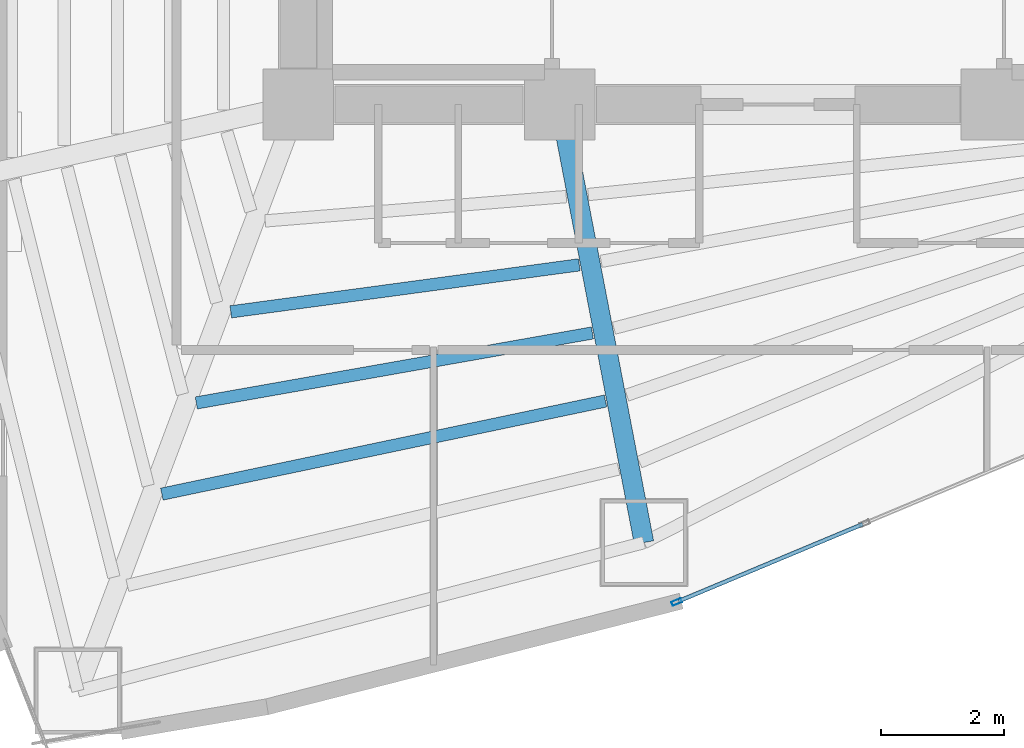
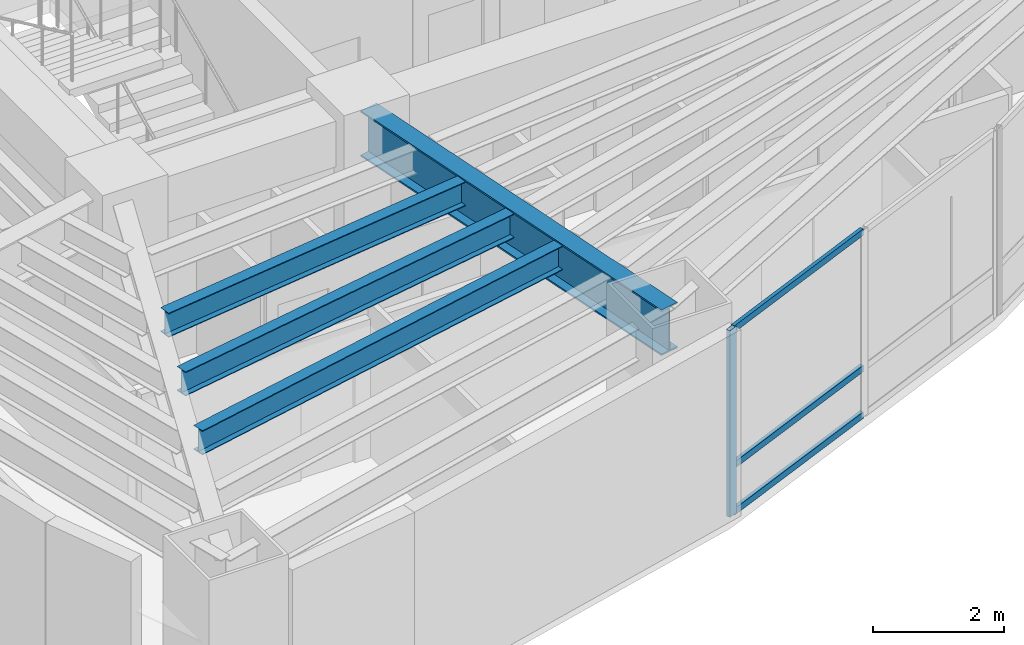
# One storey, part 2 of 17: 4 beams, 4 members, 1 element without a shape of its own.
"""IFC4 building model written with IfcOpenShell, lengths in metres."""

from ifc_helpers import new_model, si_unit, direction, frame, origin, origin_2d, place, context, subcontext, project, spatial, hollow_rectangle, i_section, extrude, material, layer, layer_set, material_profile, profile_set, type_object, element, aggregate, save


model = new_model("IFC4")

# Units and contexts
model_context = context("Model", 3, precision=1e-05, world=origin(), true_north=direction((0.0, 1.0)))
body_context = subcontext(model_context, "Body", "Model", "MODEL_VIEW")
ifc_project = project(units=[si_unit("LENGTHUNIT", "METRE"), si_unit("AREAUNIT", "SQUARE_METRE"), si_unit("VOLUMEUNIT", "CUBIC_METRE"), si_unit("PLANEANGLEUNIT", "RADIAN"), si_unit("MASSUNIT", "GRAM", prefix="KILO")], contexts=[model_context])

# Site, building, storey
site_placement = place(None, origin())
site = spatial("IfcSite", under=ifc_project, at=site_placement, CompositionType="ELEMENT")
building_placement = place(site_placement, origin())
building = spatial("IfcBuilding", under=site, at=building_placement, Name="Menara Vayukalpa", CompositionType="ELEMENT")
storey_placement = place(building_placement, frame((0.0, 0.0, 46.199951171875)))
storey = spatial("IfcBuildingStorey", under=building, at=storey_placement, Name="L10", CompositionType="ELEMENT", Elevation=46.199951171875)

# Beams
ifc_material_1 = material(Name="Steel S355", Category="steel")
ifc_material_profile_1 = material_profile(ifc_material_1, i_section(OverallWidth=0.320068359375, OverallDepth=0.85009765625, WebThickness=0.01611328125, FlangeThickness=0.030029296875, at=origin_2d()), Name="WF 850x320x16x30")
ifc_profile_set_1 = profile_set([ifc_material_profile_1], Name="Steel S355")
beam_type_1 = type_object("IfcBeamType", Name="BM-PG2", PredefinedType="BEAM", material=ifc_profile_set_1)
beam_1_placement = place(storey_placement, frame((22.09716796875, 16.95458984375, 3.045166015625), z_axis=(0.188803432672, -0.982014899995, 0.0), x_axis=(0.982014899995, 0.188803432672, 0.0)))
element("IfcBeam", 1, at=beam_1_placement, inside=storey, type_object=beam_type_1, Name="L10 Primary Radial Girder RG08", PredefinedType="BEAM", context=body_context, shape_type="SweptSolid", body=[
    extrude(i_section(OverallWidth=0.320068359375, OverallDepth=0.85009765625, WebThickness=0.01611328125, FlangeThickness=0.030029296875, at=origin_2d()), origin(), (0.0, 0.0, 1.0), 7.00341796875),
])
ifc_material_2 = material(Name="Steel S355", Category="steel")
ifc_material_profile_2 = material_profile(ifc_material_2, i_section(OverallWidth=0.199951171875, OverallDepth=0.449951171875, WebThickness=0.009033203125, FlangeThickness=0.013916015625, at=origin_2d()), Name="WF 450x200x9x14")
ifc_profile_set_2 = profile_set([ifc_material_profile_2], Name="Steel S355")
beam_type_2 = type_object("IfcBeamType", Name="BM-SJ1", PredefinedType="JOIST", material=ifc_profile_set_2)
beam_2_placement = place(storey_placement, frame((16.702392578125, 13.827880859375, 3.2451171875), z_axis=(0.991021966654, 0.13369914588, 0.0), x_axis=(-0.13369914588, 0.991021966654, 0.0)))
element("IfcBeam", 2, at=beam_2_placement, inside=storey, type_object=beam_type_2, Name="L10 Secondary Floor Joist SJ07-2", PredefinedType="JOIST", context=body_context, shape_type="SweptSolid", body=[
    extrude(i_section(OverallWidth=0.199951171875, OverallDepth=0.449951171875, WebThickness=0.009033203125, FlangeThickness=0.013916015625, at=origin_2d()), origin(), (0.0, 0.0, 1.0), 5.71728515625),
])
beam_3_placement = place(storey_placement, frame((16.14208984375, 12.34716796875, 3.2451171875), z_axis=(0.984753096925, 0.173957862993, 0.0), x_axis=(-0.173957862993, 0.984753096925, 0.0)))
element("IfcBeam", 3, at=beam_3_placement, inside=storey, type_object=beam_type_2, Name="L10 Secondary Floor Joist SJ07-3", PredefinedType="JOIST", context=body_context, shape_type="SweptSolid", body=[
    extrude(i_section(OverallWidth=0.199951171875, OverallDepth=0.449951171875, WebThickness=0.009033203125, FlangeThickness=0.013916015625, at=origin_2d()), origin(), (0.0, 0.0, 1.0), 6.53857421875),
])
beam_4_placement = place(storey_placement, frame((15.581787109375, 10.86474609375, 3.2451171875), z_axis=(0.978676146728, 0.205409346977, 0.0), x_axis=(-0.205409346977, 0.978676146728, 0.0)))
element("IfcBeam", 4, at=beam_4_placement, inside=storey, type_object=beam_type_2, Name="L10 Secondary Floor Joist SJ07-4", PredefinedType="JOIST", context=body_context, shape_type="SweptSolid", body=[
    extrude(i_section(OverallWidth=0.199951171875, OverallDepth=0.449951171875, WebThickness=0.009033203125, FlangeThickness=0.013916015625, at=origin_2d()), origin(), (0.0, 0.0, 1.0), 7.369140625),
])

# Curtain wall, members
ifc_material_3 = material(Name="Anodised Terracotta Aluminium Alloy 6063-T6", Category="masonry")
ifc_layer = layer(ifc_material_3, 0.1650390625)
ifc_layer_set = layer_set([ifc_layer], Name="Anodised Terracotta Aluminium Alloy 6063-T6")
curtain_wall_type = type_object("IfcCurtainWallType", Name="CW-CW2", PredefinedType="USERDEFINED", material=ifc_layer_set)
curtain_wall_placement = place(storey_placement, origin())
curtain_wall = element("IfcCurtainWall", 5, at=curtain_wall_placement, inside=storey, type_object=curtain_wall_type, Name="L10 Low Rise Terracotta Ribbon Curtain Wall CW2 16", ObjectType="UNITISED", PredefinedType="USERDEFINED")
ifc_material_4 = material(Name="Anodised Terracotta Aluminium Alloy 6063-T6", Category="masonry")
ifc_material_profile_3 = material_profile(ifc_material_4, hollow_rectangle(XDim=0.070068359375, YDim=0.1650390625, WallThickness=0.00390625, at=origin_2d()), Name="ALU 70x165x4")
ifc_profile_set_3 = profile_set([ifc_material_profile_3], Name="Anodised Terracotta Aluminium Alloy 6063-T6")
member_type_1 = type_object("IfcMemberType", Name="CWM-CW2", PredefinedType="MULLION", material=ifc_profile_set_3)
member_1_placement = place(storey_placement, frame((23.950927734375, 9.110595703125, 0.0), z_axis=(0.0, 0.0, 1.0), x_axis=(-0.385895120445, 0.922542658101, 0.0)))
member_1 = element("IfcMember", 6, at=member_1_placement, type_object=member_type_1, Name="CW2 mullion 1", PredefinedType="MULLION", context=body_context, shape_type="SweptSolid", body=[
    extrude(hollow_rectangle(XDim=0.070068359375, YDim=0.1650390625, WallThickness=0.00390625, at=origin_2d()), origin(), (0.0, 0.0, 1.0), 3.469970703125),
])
ifc_material_5 = material(Name="Anodised Terracotta Aluminium Alloy 6063-T6", Category="masonry")
ifc_material_profile_4 = material_profile(ifc_material_5, hollow_rectangle(XDim=0.06494140625, YDim=0.1201171875, WallThickness=0.00341796875, at=origin_2d()), Name="ALU 65x120x3.5")
ifc_profile_set_4 = profile_set([ifc_material_profile_4], Name="Anodised Terracotta Aluminium Alloy 6063-T6")
member_type_2 = type_object("IfcMemberType", Name="CWT-CW2", PredefinedType="USERDEFINED", material=ifc_profile_set_4)
member_2_placement = place(storey_placement, frame((23.983154296875, 9.1240234375, 0.032470703125), z_axis=(0.922552588381, 0.385871379699, 0.0), x_axis=(-0.385871379699, 0.922552588381, 0.0)))
member_2 = element("IfcMember", 7, at=member_2_placement, type_object=member_type_2, Name="CW2 transom 1.1", ObjectType="TRANSOM", PredefinedType="USERDEFINED", context=body_context, shape_type="SweptSolid", body=[
    extrude(hollow_rectangle(XDim=0.06494140625, YDim=0.1201171875, WallThickness=0.00341796875, at=origin_2d()), origin(), (0.0, 0.0, 1.0), 3.24267578125),
])
member_3_placement = place(storey_placement, frame((23.983154296875, 9.1240234375, 0.900146484375), z_axis=(0.922552588381, 0.385871379699, 0.0), x_axis=(-0.385871379699, 0.922552588381, 0.0)))
member_3 = element("IfcMember", 8, at=member_3_placement, type_object=member_type_2, Name="CW2 transom 1.2", ObjectType="TRANSOM", PredefinedType="USERDEFINED", context=body_context, shape_type="SweptSolid", body=[
    extrude(hollow_rectangle(XDim=0.06494140625, YDim=0.1201171875, WallThickness=0.00341796875, at=origin_2d()), origin(), (0.0, 0.0, 1.0), 3.24267578125),
])
member_4_placement = place(storey_placement, frame((23.983154296875, 9.1240234375, 3.4375), z_axis=(0.922552588381, 0.385871379699, 0.0), x_axis=(-0.385871379699, 0.922552588381, 0.0)))
member_4 = element("IfcMember", 9, at=member_4_placement, type_object=member_type_2, Name="CW2 transom 1.3", ObjectType="TRANSOM", PredefinedType="USERDEFINED", context=body_context, shape_type="SweptSolid", body=[
    extrude(hollow_rectangle(XDim=0.06494140625, YDim=0.1201171875, WallThickness=0.00341796875, at=origin_2d()), origin(), (0.0, 0.0, 1.0), 3.24267578125),
])
aggregate(curtain_wall, [member_1, member_2, member_3, member_4])

save(model, "model.ifc")
